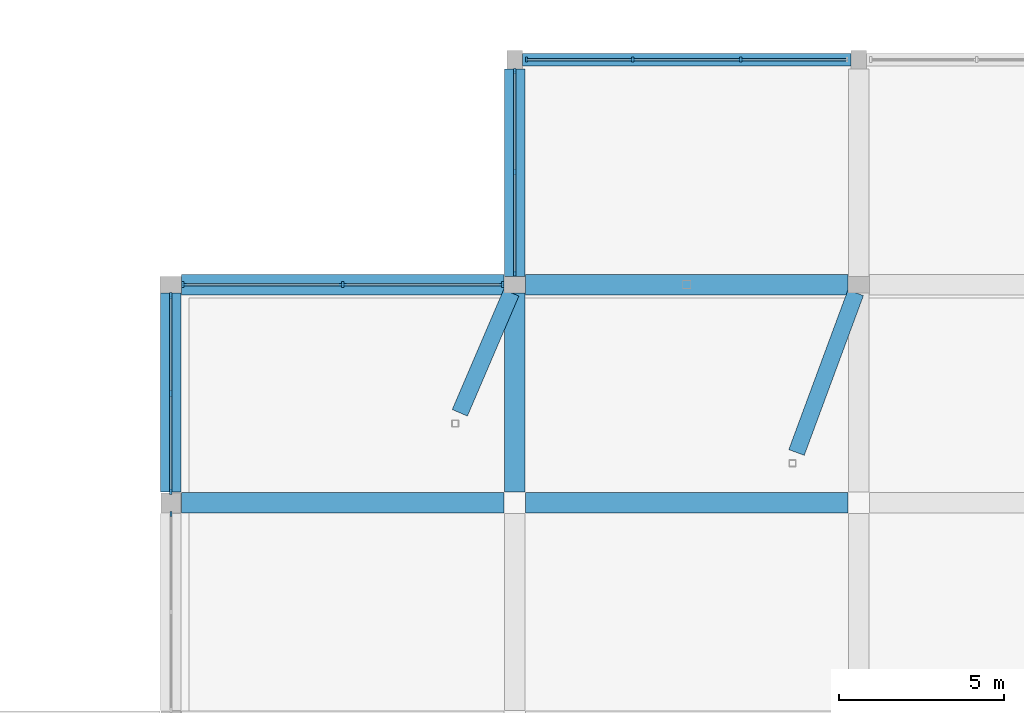
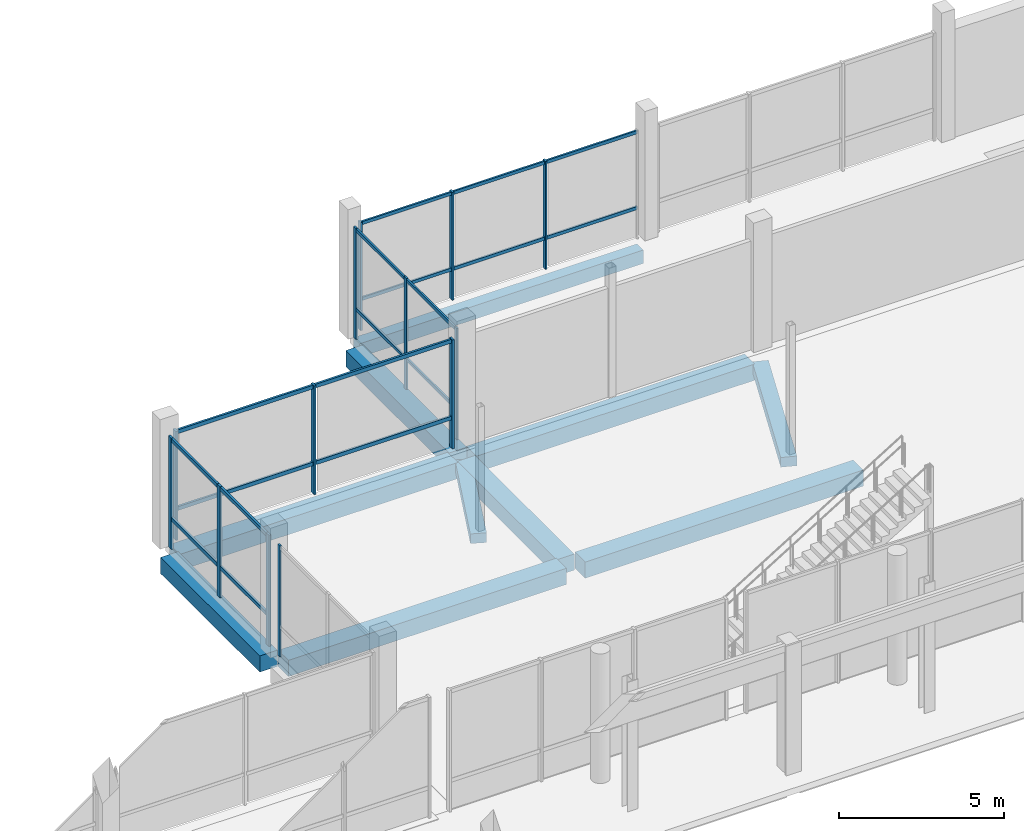
# One storey, part 27 of 88: 21 members, 10 beams, 5 elements without a shape of their own.
"""IFC4 building model written with IfcOpenShell, lengths in metres."""

from ifc_helpers import new_model, si_unit, derived_unit, direction, frame, origin, origin_2d, place, context, subcontext, project, spatial, rectangle, extrude, material, material_profile, profile_set, type_object, element, aggregate, save


model = new_model("IFC4")

# Units and contexts
model_context = context("Model", 3, precision=1e-05, world=origin(), true_north=direction((0.0, 1.0)))
body_context = subcontext(model_context, "Body", "Model", "MODEL_VIEW")
ifc_project = project(units=[si_unit("LENGTHUNIT", "METRE"), si_unit("AREAUNIT", "SQUARE_METRE"), si_unit("VOLUMEUNIT", "CUBIC_METRE"), si_unit("PLANEANGLEUNIT", "RADIAN"), si_unit("MASSUNIT", "GRAM", prefix="KILO"), derived_unit("THERMALTRANSMITTANCEUNIT", [(si_unit("POWERUNIT", "WATT"), 1), (si_unit("LENGTHUNIT", "METRE"), -2), (si_unit("THERMODYNAMICTEMPERATUREUNIT", "KELVIN"), -1)])], contexts=[model_context])

# Site, building, storey
site_placement = place(None, origin())
site = spatial("IfcSite", under=ifc_project, at=site_placement, CompositionType="ELEMENT")
building_placement = place(site_placement, origin())
building = spatial("IfcBuilding", under=site, at=building_placement, Name="Braskholm Square Health Centre", CompositionType="ELEMENT")
storey_placement = place(building_placement, origin())
storey = spatial("IfcBuildingStorey", under=building, at=storey_placement, Name="L01", CompositionType="ELEMENT", Elevation=0.0)

# Curtain wall, member
ifc_material_1 = material(Name="Low-E triple insulating glass (VLT 0.64)", Category="glass")
curtain_wall_type = type_object("IfcCurtainWallType", Name="UnitisedCurtainWall6200x4100", PredefinedType="NOTDEFINED", material=ifc_material_1)
curtain_wall_1_placement = place(storey_placement, origin())
curtain_wall_1 = element("IfcCurtainWall", 1, at=curtain_wall_1_placement, inside=storey, type_object=curtain_wall_type, Name="Hall Cheek L01 unitised curtain wall CW-L01-0218", PredefinedType="NOTDEFINED")
ifc_material_2 = material(Name="Architectural bronze anodised aluminium", Category="aluminium")
ifc_material_profile_1 = material_profile(ifc_material_2, rectangle(XDim=0.06494140625, YDim=0.14990234375, at=origin_2d()), Name="ALU-65X150")
ifc_profile_set_1 = profile_set([ifc_material_profile_1], Name="Architectural bronze anodised aluminium")
member_type_1 = type_object("IfcMemberType", Name="CurtainWallMullion65x150", PredefinedType="MULLION", material=ifc_profile_set_1)
member_1_placement = place(storey_placement, frame((47.60009765625, 100.06396484375, 0.0), z_axis=(0.0, 0.0, 1.0), x_axis=(1.0, 0.0, 0.0)))
member_1 = element("IfcMember", 2, at=member_1_placement, type_object=member_type_1, Name="CW-L01-0218 vertical mullion 1", PredefinedType="MULLION", context=body_context, shape_type="SweptSolid", body=[
    extrude(rectangle(XDim=0.06494140625, YDim=0.14990234375, at=origin_2d()), origin(), (0.0, 0.0, 1.0), 4.1201171875),
])
aggregate(curtain_wall_1, [member_1])

# Curtain wall, members
curtain_wall_2_placement = place(storey_placement, origin())
curtain_wall_2 = element("IfcCurtainWall", 3, at=curtain_wall_2_placement, inside=storey, type_object=curtain_wall_type, Name="Hydrotherapy North unitised curtain wall CW-L01-0236", PredefinedType="NOTDEFINED")
member_2_placement = place(storey_placement, frame((64.833251953125, 113.800048828125, 0.0), z_axis=(0.0, 0.0, 1.0), x_axis=(1.0, 0.0, 0.0)))
member_2 = element("IfcMember", 4, at=member_2_placement, type_object=member_type_1, Name="CW-L01-0236 vertical mullion 2", PredefinedType="MULLION", context=body_context, shape_type="SweptSolid", body=[
    extrude(rectangle(XDim=0.06494140625, YDim=0.14990234375, at=origin_2d()), origin(), (0.0, 0.0, 1.0), 4.0),
])
member_3_placement = place(storey_placement, frame((61.566650390625, 113.800048828125, 0.0), z_axis=(0.0, 0.0, 1.0), x_axis=(1.0, 0.0, 0.0)))
member_3 = element("IfcMember", 5, at=member_3_placement, type_object=member_type_1, Name="CW-L01-0236 vertical mullion 3", PredefinedType="MULLION", context=body_context, shape_type="SweptSolid", body=[
    extrude(rectangle(XDim=0.06494140625, YDim=0.14990234375, at=origin_2d()), origin(), (0.0, 0.0, 1.0), 4.0),
])
member_4_placement = place(storey_placement, frame((58.35888671875, 113.800048828125, 0.0), z_axis=(0.0, 0.0, 1.0), x_axis=(1.0, 0.0, 0.0)))
member_4 = element("IfcMember", 6, at=member_4_placement, type_object=member_type_1, Name="CW-L01-0236 vertical mullion 4", PredefinedType="MULLION", context=body_context, shape_type="SweptSolid", body=[
    extrude(rectangle(XDim=0.06494140625, YDim=0.14990234375, at=origin_2d()), origin(), (0.0, 0.0, 1.0), 4.0),
])

curtain_wall_3_placement = place(storey_placement, origin())
curtain_wall_3 = element("IfcCurtainWall", 7, at=curtain_wall_3_placement, inside=storey, type_object=curtain_wall_type, Name="Hydrotherapy West unitised curtain wall CW-L01-0240", PredefinedType="NOTDEFINED")
member_5_placement = place(storey_placement, frame((58.0, 113.462890625, 0.0), z_axis=(0.0, 0.0, 1.0), x_axis=(1.0, 0.0, 0.0)))
member_5 = element("IfcMember", 8, at=member_5_placement, type_object=member_type_1, Name="CW-L01-0240 vertical mullion 1", PredefinedType="MULLION", context=body_context, shape_type="SweptSolid", body=[
    extrude(rectangle(XDim=0.06494140625, YDim=0.14990234375, at=origin_2d()), origin(), (0.0, 0.0, 1.0), 4.1201171875),
])
member_6_placement = place(storey_placement, frame((58.0, 110.39990234375, 0.0), z_axis=(0.0, 0.0, 1.0), x_axis=(1.0, 0.0, 0.0)))
member_6 = element("IfcMember", 9, at=member_6_placement, type_object=member_type_1, Name="CW-L01-0240 vertical mullion 2", PredefinedType="MULLION", context=body_context, shape_type="SweptSolid", body=[
    extrude(rectangle(XDim=0.06494140625, YDim=0.14990234375, at=origin_2d()), origin(), (0.0, 0.0, 1.0), 4.1201171875),
])
member_7_placement = place(storey_placement, frame((58.0, 107.337158203125, 0.0), z_axis=(0.0, 0.0, 1.0), x_axis=(1.0, 0.0, 0.0)))
member_7 = element("IfcMember", 10, at=member_7_placement, type_object=member_type_1, Name="CW-L01-0240 vertical mullion 3", PredefinedType="MULLION", context=body_context, shape_type="SweptSolid", body=[
    extrude(rectangle(XDim=0.06494140625, YDim=0.14990234375, at=origin_2d()), origin(), (0.0, 0.0, 1.0), 4.1201171875),
])

curtain_wall_4_placement = place(storey_placement, origin())
curtain_wall_4 = element("IfcCurtainWall", 11, at=curtain_wall_4_placement, inside=storey, type_object=curtain_wall_type, Name="Hall North unitised curtain wall CW-L01-0213", PredefinedType="NOTDEFINED")
ifc_material_profile_2 = material_profile(ifc_material_2, rectangle(XDim=0.074951171875, YDim=0.179931640625, at=origin_2d()), Name="ALU-75X180")
ifc_profile_set_2 = profile_set([ifc_material_profile_2], Name="Architectural bronze anodised aluminium")
member_type_2 = type_object("IfcMemberType", Name="CurtainWallMullion75x180", PredefinedType="MULLION", material=ifc_profile_set_2)
member_8_placement = place(storey_placement, frame((57.64111328125, 107.0, 0.0), z_axis=(0.0, 0.0, 1.0), x_axis=(1.0, 0.0, 0.0)))
member_8 = element("IfcMember", 12, at=member_8_placement, type_object=member_type_2, Name="CW-L01-0213 vertical mullion 1", PredefinedType="MULLION", context=body_context, shape_type="SweptSolid", body=[
    extrude(rectangle(XDim=0.074951171875, YDim=0.179931640625, at=origin_2d()), origin(), (0.0, 0.0, 1.0), 4.037109375),
])
member_9_placement = place(storey_placement, frame((52.800048828125, 107.0, 0.0), z_axis=(0.0, 0.0, 1.0), x_axis=(1.0, 0.0, 0.0)))
member_9 = element("IfcMember", 13, at=member_9_placement, type_object=member_type_2, Name="CW-L01-0213 vertical mullion 2", PredefinedType="MULLION", context=body_context, shape_type="SweptSolid", body=[
    extrude(rectangle(XDim=0.074951171875, YDim=0.179931640625, at=origin_2d()), origin(), (0.0, 0.0, 1.0), 4.037109375),
])
member_10_placement = place(storey_placement, frame((47.958740234375, 107.0, 0.0), z_axis=(0.0, 0.0, 1.0), x_axis=(1.0, 0.0, 0.0)))
member_10 = element("IfcMember", 14, at=member_10_placement, type_object=member_type_2, Name="CW-L01-0213 vertical mullion 3", PredefinedType="MULLION", context=body_context, shape_type="SweptSolid", body=[
    extrude(rectangle(XDim=0.074951171875, YDim=0.179931640625, at=origin_2d()), origin(), (0.0, 0.0, 1.0), 4.037109375),
])

curtain_wall_5_placement = place(storey_placement, origin())
curtain_wall_5 = element("IfcCurtainWall", 15, at=curtain_wall_5_placement, inside=storey, type_object=curtain_wall_type, Name="Hall Cheek L01 unitised curtain wall CW-L01-0217", PredefinedType="NOTDEFINED")
member_11_placement = place(storey_placement, frame((47.60009765625, 106.6640625, 0.0), z_axis=(0.0, 0.0, 1.0), x_axis=(1.0, 0.0, 0.0)))
member_11 = element("IfcMember", 16, at=member_11_placement, type_object=member_type_2, Name="CW-L01-0217 vertical mullion 1", PredefinedType="MULLION", context=body_context, shape_type="SweptSolid", body=[
    extrude(rectangle(XDim=0.074951171875, YDim=0.179931640625, at=origin_2d()), origin(), (0.0, 0.0, 1.0), 4.1201171875),
])
member_12_placement = place(storey_placement, frame((47.60009765625, 103.699951171875, 0.0), z_axis=(0.0, 0.0, 1.0), x_axis=(1.0, 0.0, 0.0)))
member_12 = element("IfcMember", 17, at=member_12_placement, type_object=member_type_2, Name="CW-L01-0217 vertical mullion 2", PredefinedType="MULLION", context=body_context, shape_type="SweptSolid", body=[
    extrude(rectangle(XDim=0.074951171875, YDim=0.179931640625, at=origin_2d()), origin(), (0.0, 0.0, 1.0), 4.1201171875),
])
member_13_placement = place(storey_placement, frame((47.60009765625, 100.736083984375, 0.0), z_axis=(0.0, 0.0, 1.0), x_axis=(1.0, 0.0, 0.0)))
member_13 = element("IfcMember", 18, at=member_13_placement, type_object=member_type_2, Name="CW-L01-0217 vertical mullion 3", PredefinedType="MULLION", context=body_context, shape_type="SweptSolid", body=[
    extrude(rectangle(XDim=0.074951171875, YDim=0.179931640625, at=origin_2d()), origin(), (0.0, 0.0, 1.0), 4.1201171875),
])

# Member
ifc_material_profile_3 = material_profile(ifc_material_2, rectangle(XDim=0.06494140625, YDim=0.1201171875, at=origin_2d()), Name="ALU-65X120")
ifc_profile_set_3 = profile_set([ifc_material_profile_3], Name="Architectural bronze anodised aluminium")
member_type_3 = type_object("IfcMemberType", Name="CurtainWallTransom65x120", PredefinedType="USERDEFINED", material=ifc_profile_set_3)
member_14_placement = place(storey_placement, frame((68.054931640625, 113.800048828125, 1.1201171875), z_axis=(-1.0, 0.0, 0.0), x_axis=(0.0, -1.0, 0.0)))
member_14 = element("IfcMember", 19, at=member_14_placement, type_object=member_type_3, Name="CW-L01-0236 horizontal transom 1", ObjectType="TRANSOM", PredefinedType="USERDEFINED", context=body_context, shape_type="SweptSolid", body=[
    extrude(rectangle(XDim=0.06494140625, YDim=0.1201171875, at=origin_2d()), origin(), (0.0, 0.0, 1.0), 9.7099609375),
])

member_15_placement = place(storey_placement, frame((68.054931640625, 113.800048828125, 3.929931640625), z_axis=(-1.0, 0.0, 0.0), x_axis=(0.0, -1.0, 0.0)))
member_15 = element("IfcMember", 20, at=member_15_placement, type_object=member_type_3, Name="CW-L01-0236 horizontal transom 2", ObjectType="TRANSOM", PredefinedType="USERDEFINED", context=body_context, shape_type="SweptSolid", body=[
    extrude(rectangle(XDim=0.06494140625, YDim=0.1201171875, at=origin_2d()), origin(), (0.0, 0.0, 1.0), 9.7099609375),
])

aggregate(curtain_wall_2, [member_2, member_3, member_4, member_14, member_15])

member_16_placement = place(storey_placement, frame((58.0, 113.455078125, 1.1201171875), z_axis=(0.0, -1.0, 0.0), x_axis=(1.0, 0.0, 0.0)))
member_16 = element("IfcMember", 21, at=member_16_placement, type_object=member_type_3, Name="CW-L01-0240 horizontal transom 1", ObjectType="TRANSOM", PredefinedType="USERDEFINED", context=body_context, shape_type="SweptSolid", body=[
    extrude(rectangle(XDim=0.06494140625, YDim=0.1201171875, at=origin_2d()), origin(), (0.0, 0.0, 1.0), 6.110107421875),
])

member_17_placement = place(storey_placement, frame((58.0, 113.455078125, 4.050048828125), z_axis=(0.0, -1.0, 0.0), x_axis=(1.0, 0.0, 0.0)))
member_17 = element("IfcMember", 22, at=member_17_placement, type_object=member_type_3, Name="CW-L01-0240 horizontal transom 2", ObjectType="TRANSOM", PredefinedType="USERDEFINED", context=body_context, shape_type="SweptSolid", body=[
    extrude(rectangle(XDim=0.06494140625, YDim=0.1201171875, at=origin_2d()), origin(), (0.0, 0.0, 1.0), 6.110107421875),
])

aggregate(curtain_wall_3, [member_5, member_6, member_7, member_16, member_17])

ifc_material_profile_4 = material_profile(ifc_material_2, rectangle(XDim=0.074951171875, YDim=0.139892578125, at=origin_2d()), Name="ALU-75X140")
ifc_profile_set_4 = profile_set([ifc_material_profile_4], Name="Architectural bronze anodised aluminium")
member_type_4 = type_object("IfcMemberType", Name="CurtainWallTransom75x140", PredefinedType="USERDEFINED", material=ifc_profile_set_4)
member_18_placement = place(storey_placement, frame((57.655029296875, 107.0, 1.1201171875), z_axis=(-1.0, 0.0, 0.0), x_axis=(0.0, -1.0, 0.0)))
member_18 = element("IfcMember", 23, at=member_18_placement, type_object=member_type_4, Name="CW-L01-0213 horizontal transom 1", ObjectType="TRANSOM", PredefinedType="USERDEFINED", context=body_context, shape_type="SweptSolid", body=[
    extrude(rectangle(XDim=0.074951171875, YDim=0.139892578125, at=origin_2d()), origin(), (0.0, 0.0, 1.0), 9.7099609375),
])

member_19_placement = place(storey_placement, frame((57.655029296875, 107.0, 3.967041015625), z_axis=(-1.0, 0.0, 0.0), x_axis=(0.0, -1.0, 0.0)))
member_19 = element("IfcMember", 24, at=member_19_placement, type_object=member_type_4, Name="CW-L01-0213 horizontal transom 2", ObjectType="TRANSOM", PredefinedType="USERDEFINED", context=body_context, shape_type="SweptSolid", body=[
    extrude(rectangle(XDim=0.074951171875, YDim=0.139892578125, at=origin_2d()), origin(), (0.0, 0.0, 1.0), 9.7099609375),
])

aggregate(curtain_wall_4, [member_8, member_9, member_10, member_18, member_19])

member_20_placement = place(storey_placement, frame((47.60009765625, 106.655029296875, 1.1201171875), z_axis=(0.0, -1.0, 0.0), x_axis=(1.0, 0.0, 0.0)))
member_20 = element("IfcMember", 25, at=member_20_placement, type_object=member_type_4, Name="CW-L01-0217 horizontal transom 1", ObjectType="TRANSOM", PredefinedType="USERDEFINED", context=body_context, shape_type="SweptSolid", body=[
    extrude(rectangle(XDim=0.074951171875, YDim=0.139892578125, at=origin_2d()), origin(), (0.0, 0.0, 1.0), 5.909912109375),
])

member_21_placement = place(storey_placement, frame((47.60009765625, 106.655029296875, 4.050048828125), z_axis=(0.0, -1.0, 0.0), x_axis=(1.0, 0.0, 0.0)))
member_21 = element("IfcMember", 26, at=member_21_placement, type_object=member_type_4, Name="CW-L01-0217 horizontal transom 2", ObjectType="TRANSOM", PredefinedType="USERDEFINED", context=body_context, shape_type="SweptSolid", body=[
    extrude(rectangle(XDim=0.074951171875, YDim=0.139892578125, at=origin_2d()), origin(), (0.0, 0.0, 1.0), 5.909912109375),
])

aggregate(curtain_wall_5, [member_11, member_12, member_13, member_20, member_21])

# Beams
ifc_material_3 = material(Name="Concrete C35/45 (f'c = 35 MPa)", Category="concrete")
ifc_material_profile_5 = material_profile(ifc_material_3, rectangle(XDim=0.5, YDim=0.360107421875, at=origin_2d()), Name="RCB-500X360")
ifc_profile_set_5 = profile_set([ifc_material_profile_5], Name="Concrete C35/45 (f'c = 35 MPa)")
beam_type_1 = type_object("IfcBeamType", Name="PrimaryBandBeam500x360", PredefinedType="BEAM", material=ifc_profile_set_5)
beam_1_placement = place(storey_placement, frame((56.33837890625, 103.123291015625, -0.56005859375), z_axis=(0.393949154313, 0.919132234129, 0.0), x_axis=(-0.919132234129, 0.393949154313, 0.0)))
element("IfcBeam", 27, at=beam_1_placement, inside=storey, type_object=beam_type_1, Name="Tie beam CS3G L01", PredefinedType="BEAM", context=body_context, shape_type="SweptSolid", body=[
    extrude(rectangle(XDim=0.5, YDim=0.360107421875, at=origin_2d()), origin(), (0.0, 0.0, 1.0), 3.94775390625),
])
beam_2_placement = place(storey_placement, frame((66.519775390625, 101.923095703125, -0.56005859375), z_axis=(0.347291193154, 0.937757339165, 0.0), x_axis=(-0.937757339165, 0.347291193154, 0.0)))
element("IfcBeam", 28, at=beam_2_placement, inside=storey, type_object=beam_type_1, Name="Tie beam CS3J L01", PredefinedType="BEAM", context=body_context, shape_type="SweptSolid", body=[
    extrude(rectangle(XDim=0.5, YDim=0.360107421875, at=origin_2d()), origin(), (0.0, 0.0, 1.0), 5.1494140625),
])
ifc_material_4 = material(Name="Concrete C40/50 (f'c = 40 MPa)", Category="concrete")
ifc_material_profile_6 = material_profile(ifc_material_4, rectangle(XDim=0.6201171875, YDim=0.60009765625, at=origin_2d()), Name="RCB-620X600")
ifc_profile_set_6 = profile_set([ifc_material_profile_6], Name="Concrete C40/50 (f'c = 40 MPa)")
beam_type_2 = type_object("IfcBeamType", Name="PrimarySubstructureBeam620x600", PredefinedType="BEAM", material=ifc_profile_set_6)
for number, where, z_axis, x_axis, name in (
    (29, (47.60009765625, 100.72509765625, -0.60009765625), (0.0, 1.0, 0.0), (-1.0, 0.0, 0.0), "Beam 8/Q-R L01"),
    (30, (58.0, 100.72509765625, -0.679931640625), (0.0, 1.0, 0.0), (-1.0, 0.0, 0.0), "Beam 9/Q-R L01"),
):
    element("IfcBeam", number, at=place(storey_placement, frame(where, z_axis=z_axis, x_axis=x_axis)), inside=storey, type_object=beam_type_2, Name=name, PredefinedType="BEAM", context=body_context, shape_type="SweptSolid", body=[
        extrude(rectangle(XDim=0.6201171875, YDim=0.60009765625, at=origin_2d()), origin(), (0.0, 0.0, 1.0), 6.02490234375),
    ])
beam_3_placement = place(storey_placement, frame((58.0, 107.25, -0.679931640625), z_axis=(0.0, 1.0, 0.0), x_axis=(-1.0, 0.0, 0.0)))
element("IfcBeam", 31, at=beam_3_placement, inside=storey, type_object=beam_type_2, Name="Beam 9/R-S L01", PredefinedType="BEAM", context=body_context, shape_type="SweptSolid", body=[
    extrude(rectangle(XDim=0.6201171875, YDim=0.60009765625, at=origin_2d()), origin(), (0.0, 0.0, 1.0), 6.27001953125),
])
for number, where, z_axis, x_axis, name in (
    (32, (47.925048828125, 100.39990234375, -0.60009765625), (1.0, 0.0, 0.0), (0.0, 1.0, 0.0), "Beam 8-9/Q L01"),
    (33, (58.324951171875, 100.39990234375, -0.60009765625), (1.0, 0.0, 0.0), (0.0, 1.0, 0.0), "Beam 9-10/Q L01"),
    (34, (47.925048828125, 107.0, -0.679931640625), (1.0, 0.0, 0.0), (0.0, 1.0, 0.0), "Beam 8-9/R L01"),
    (35, (58.324951171875, 107.0, -0.679931640625), (1.0, 0.0, 0.0), (0.0, 1.0, 0.0), "Beam 9-10/R L01"),
):
    element("IfcBeam", number, at=place(storey_placement, frame(where, z_axis=z_axis, x_axis=x_axis)), inside=storey, type_object=beam_type_2, Name=name, PredefinedType="BEAM", context=body_context, shape_type="SweptSolid", body=[
        extrude(rectangle(XDim=0.6201171875, YDim=0.60009765625, at=origin_2d()), origin(), (0.0, 0.0, 1.0), 9.75),
    ])
ifc_material_5 = material(Name="Precast concrete C40/50 architectural white", Category="concrete")
ifc_material_profile_7 = material_profile(ifc_material_5, rectangle(XDim=0.3798828125, YDim=0.5, at=origin_2d()), Name="RCB-380X500")
ifc_profile_set_7 = profile_set([ifc_material_profile_7], Name="Precast concrete C40/50 architectural white")
beam_type_3 = type_object("IfcBeamType", Name="SpandrelPrecastEdge380x500", PredefinedType="SPANDREL", material=ifc_profile_set_7)
beam_4_placement = place(storey_placement, frame((58.22998046875, 113.800048828125, -0.6298828125), z_axis=(1.0, 0.0, 0.0), x_axis=(0.0, 1.0, 0.0)))
element("IfcBeam", 36, at=beam_4_placement, inside=storey, type_object=beam_type_3, Name="Beam 9-10/S L01", PredefinedType="SPANDREL", context=body_context, shape_type="SweptSolid", body=[
    extrude(rectangle(XDim=0.3798828125, YDim=0.5, at=origin_2d()), origin(), (0.0, 0.0, 1.0), 9.93994140625),
])

save(model, "model.ifc")
